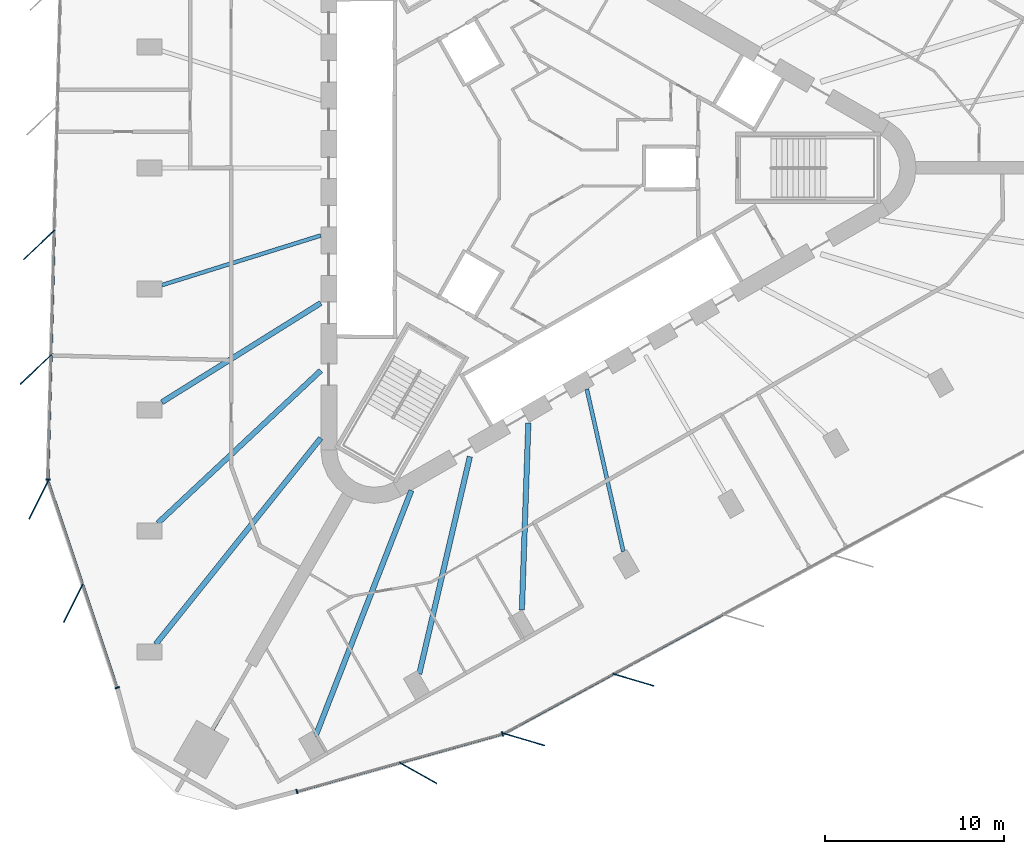
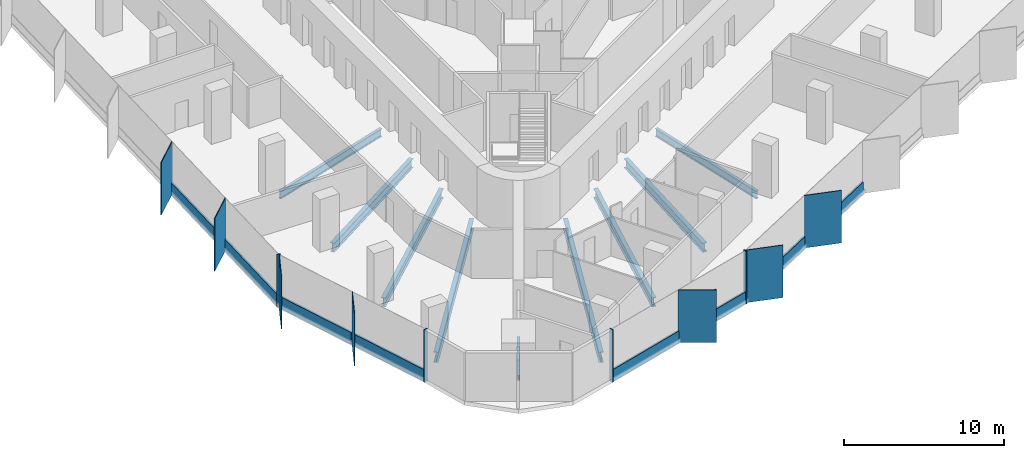
# One storey, part 2 of 14: 19 members, 9 beams, 4 elements without a shape of their own.
"""IFC4 building model written with IfcOpenShell, lengths in metres."""

from ifc_helpers import new_model, si_unit, direction, frame, origin, origin_2d, place, context, subcontext, project, spatial, rectangle, i_section, extrude, material, material_profile, profile_set, type_object, element, aggregate, save


model = new_model("IFC4")

# Units and contexts
model_context = context("Model", 3, precision=1e-05, world=origin(), true_north=direction((0.0, 1.0)))
body_context = subcontext(model_context, "Body", "Model", "MODEL_VIEW")
ifc_project = project(units=[si_unit("LENGTHUNIT", "METRE"), si_unit("AREAUNIT", "SQUARE_METRE"), si_unit("VOLUMEUNIT", "CUBIC_METRE"), si_unit("PLANEANGLEUNIT", "RADIAN"), si_unit("MASSUNIT", "GRAM", prefix="KILO")], contexts=[model_context])

# Site, building, storey
site_placement = place(None, origin())
site = spatial("IfcSite", under=ifc_project, at=site_placement, CompositionType="ELEMENT")
building_placement = place(site_placement, origin())
building = spatial("IfcBuilding", under=site, at=building_placement, Name="Tanit Gate Tower", CompositionType="ELEMENT")
storey_placement = place(building_placement, frame((0.0, 0.0, 249.199951171875)))
storey = spatial("IfcBuildingStorey", under=building, at=storey_placement, Name="L56", CompositionType="ELEMENT", Elevation=249.199951171875)

# Curtain wall, members
ifc_material_1 = material(Name="Aluminium bronze anodised and glass", Category="aluminium")
curtain_wall_type = type_object("IfcCurtainWallType", Name="Curtain wall typical mid", PredefinedType="NOTDEFINED", material=ifc_material_1)
curtain_wall_1_placement = place(storey_placement, origin())
curtain_wall_1 = element("IfcCurtainWall", 1, at=curtain_wall_1_placement, inside=storey, type_object=curtain_wall_type, Name="Curtain wall L56 W2", PredefinedType="NOTDEFINED")
ifc_material_2 = material(Name="Aluminium bronze anodised", Category="aluminium")
ifc_material_profile_1 = material_profile(ifc_material_2, rectangle(XDim=2.39990234375, YDim=0.055908203125, at=origin_2d()), Name="56x2400 bronze fin mullion")
ifc_profile_set_1 = profile_set([ifc_material_profile_1], Name="Aluminium bronze anodised")
member_type_1 = type_object("IfcMemberType", Name="FIN MULLION 56x2400 bronze", PredefinedType="MULLION", material=ifc_profile_set_1)
member_1_placement = place(storey_placement, frame((-27.85595703125, -4.296875, -0.300048828125), z_axis=(0.0, 0.0, 1.0), x_axis=(0.725200158595, 0.688538110764, 0.0)))
member_1 = element("IfcMember", 2, at=member_1_placement, type_object=member_type_1, Name="Fin mullion L56 W2.4", PredefinedType="MULLION", context=body_context, shape_type="SweptSolid", body=[
    extrude(rectangle(XDim=2.39990234375, YDim=0.055908203125, at=origin_2d()), origin(), (0.0, 0.0, 1.0), 4.0),
])
member_2_placement = place(storey_placement, frame((-28.036865234375, -11.2685546875, -0.300048828125), z_axis=(0.0, 0.0, 1.0), x_axis=(0.725200158595, 0.688538110764, 0.0)))
member_2 = element("IfcMember", 3, at=member_2_placement, type_object=member_type_1, Name="Fin mullion L56 W2.5", PredefinedType="MULLION", context=body_context, shape_type="SweptSolid", body=[
    extrude(rectangle(XDim=2.39990234375, YDim=0.055908203125, at=origin_2d()), origin(), (0.0, 0.0, 1.0), 4.0),
])

curtain_wall_2_placement = place(storey_placement, origin())
curtain_wall_2 = element("IfcCurtainWall", 4, at=curtain_wall_2_placement, inside=storey, type_object=curtain_wall_type, Name="Curtain wall L56 W3", PredefinedType="NOTDEFINED")
member_3_placement = place(storey_placement, frame((-27.8779296875, -18.561279296875, -0.300048828125), z_axis=(0.0, 0.0, 1.0), x_axis=(0.446864758438, 0.894601524516, 0.0)))
member_3 = element("IfcMember", 5, at=member_3_placement, type_object=member_type_1, Name="Fin mullion L56 W3.1", PredefinedType="MULLION", context=body_context, shape_type="SweptSolid", body=[
    extrude(rectangle(XDim=2.39990234375, YDim=0.055908203125, at=origin_2d()), origin(), (0.0, 0.0, 1.0), 4.0),
])
member_4_placement = place(storey_placement, frame((-25.94775390625, -24.34375, -0.300048828125), z_axis=(0.0, 0.0, 1.0), x_axis=(0.446864758438, 0.894601524516, 0.0)))
member_4 = element("IfcMember", 6, at=member_4_placement, type_object=member_type_1, Name="Fin mullion L56 W3.2", PredefinedType="MULLION", context=body_context, shape_type="SweptSolid", body=[
    extrude(rectangle(XDim=2.39990234375, YDim=0.055908203125, at=origin_2d()), origin(), (0.0, 0.0, 1.0), 4.0),
])

# Curtain wall, member
curtain_wall_3_placement = place(storey_placement, origin())
curtain_wall_3 = element("IfcCurtainWall", 7, at=curtain_wall_3_placement, inside=storey, type_object=curtain_wall_type, Name="Curtain wall L56 SE1", PredefinedType="NOTDEFINED")
member_5_placement = place(storey_placement, frame((-6.660400390625, -33.846435546875, -0.300048828125), z_axis=(0.0, 0.0, 1.0), x_axis=(-0.871576439722, 0.490259635012, 0.0)))
member_5 = element("IfcMember", 8, at=member_5_placement, type_object=member_type_1, Name="Fin mullion L56 SE1.2", PredefinedType="MULLION", context=body_context, shape_type="SweptSolid", body=[
    extrude(rectangle(XDim=2.39990234375, YDim=0.055908203125, at=origin_2d()), origin(), (0.0, 0.0, 1.0), 4.0),
])

# Curtain wall, members
curtain_wall_4_placement = place(storey_placement, origin())
curtain_wall_4 = element("IfcCurtainWall", 9, at=curtain_wall_4_placement, inside=storey, type_object=curtain_wall_type, Name="Curtain wall L56 SE2", PredefinedType="NOTDEFINED")
member_6_placement = place(storey_placement, frame((-0.735107421875, -31.96337890625, -0.300048828125), z_axis=(0.0, 0.0, 1.0), x_axis=(-0.958891574692, 0.28377270479, 0.0)))
member_6 = element("IfcMember", 10, at=member_6_placement, type_object=member_type_1, Name="Fin mullion L56 SE2.1", PredefinedType="MULLION", context=body_context, shape_type="SweptSolid", body=[
    extrude(rectangle(XDim=2.39990234375, YDim=0.055908203125, at=origin_2d()), origin(), (0.0, 0.0, 1.0), 4.0),
])
member_7_placement = place(storey_placement, frame((5.39306640625, -28.63427734375, -0.300048828125), z_axis=(0.0, 0.0, 1.0), x_axis=(-0.958891574692, 0.28377270479, 0.0)))
member_7 = element("IfcMember", 11, at=member_7_placement, type_object=member_type_1, Name="Fin mullion L56 SE2.2", PredefinedType="MULLION", context=body_context, shape_type="SweptSolid", body=[
    extrude(rectangle(XDim=2.39990234375, YDim=0.055908203125, at=origin_2d()), origin(), (0.0, 0.0, 1.0), 4.0),
])

# Member
ifc_material_3 = material(Name="Aluminium bronze anodised", Category="aluminium")
ifc_material_profile_2 = material_profile(ifc_material_3, rectangle(XDim=0.260009765625, YDim=0.080078125, at=origin_2d()), Name="80x260 bronze mullion")
ifc_profile_set_2 = profile_set([ifc_material_profile_2], Name="Aluminium bronze anodised")
member_type_2 = type_object("IfcMemberType", Name="Mullion 80x260 typical mid", PredefinedType="MULLION", material=ifc_profile_set_2)
member_8_placement = place(storey_placement, frame((-27.36279296875, -17.4287109375, -0.300048828125), z_axis=(0.0, 0.0, 1.0), x_axis=(0.999663917086, -0.025923982634, 0.0)))
member_8 = element("IfcMember", 12, at=member_8_placement, type_object=member_type_2, Name="Mullion L56 W2.6", PredefinedType="MULLION", context=body_context, shape_type="SweptSolid", body=[
    extrude(rectangle(XDim=0.260009765625, YDim=0.080078125, at=origin_2d()), origin(), (0.0, 0.0, 1.0), 4.0),
])

member_9_placement = place(storey_placement, frame((-23.490966796875, -29.072021484375, -0.300048828125), z_axis=(0.0, 0.0, 1.0), x_axis=(0.94855990541, 0.31659770348, 0.0)))
member_9 = element("IfcMember", 13, at=member_9_placement, type_object=member_type_2, Name="Mullion L56 W3.3", PredefinedType="MULLION", context=body_context, shape_type="SweptSolid", body=[
    extrude(rectangle(XDim=0.260009765625, YDim=0.080078125, at=origin_2d()), origin(), (0.0, 0.0, 1.0), 4.0),
])

member_10_placement = place(storey_placement, frame((-13.436279296875, -34.878173828125, -0.300048828125), z_axis=(0.0, 0.0, 1.0), x_axis=(-0.269631698391, 0.962963523309, 0.0)))
member_10 = element("IfcMember", 14, at=member_10_placement, type_object=member_type_2, Name="Mullion L56 SE1.1", PredefinedType="MULLION", context=body_context, shape_type="SweptSolid", body=[
    extrude(rectangle(XDim=0.260009765625, YDim=0.080078125, at=origin_2d()), origin(), (0.0, 0.0, 1.0), 4.0),
])

member_11_placement = place(storey_placement, frame((-1.939208984375, -31.658935546875, -0.300048828125), z_axis=(0.0, 0.0, 1.0), x_axis=(-0.269631698391, 0.962963523309, 0.0)))
member_11 = element("IfcMember", 15, at=member_11_placement, type_object=member_type_2, Name="Mullion L56 SE1.3", PredefinedType="MULLION", context=body_context, shape_type="SweptSolid", body=[
    extrude(rectangle(XDim=0.260009765625, YDim=0.080078125, at=origin_2d()), origin(), (0.0, 0.0, 1.0), 4.0),
])

# Beams
ifc_material_4 = material(Name="Steel S355", Category="steel")
ifc_material_profile_3 = material_profile(ifc_material_4, i_section(OverallWidth=0.300048828125, OverallDepth=0.68994140625, WebThickness=0.014404296875, FlangeThickness=0.027099609375, FilletRadius=0.027099609375, at=origin_2d()), Name="HEA 700")
ifc_profile_set_3 = profile_set([ifc_material_profile_3], Name="Steel S355")
beam_type_1 = type_object("IfcBeamType", Name="RADIAL GIRDER HEA 700 S355", PredefinedType="BEAM", material=ifc_profile_set_3)
beam_1_placement = place(storey_placement, frame((-20.993408203125, -13.10498046875, -0.64501953125), z_axis=(0.848289986152, 0.52953196258, 0.0), x_axis=(-0.52953196258, 0.848289986152, 0.0)))
element("IfcBeam", 16, at=beam_1_placement, inside=storey, type_object=beam_type_1, Name="RADIAL GIRDER", PredefinedType="BEAM", context=body_context, shape_type="SweptSolid", body=[
    extrude(i_section(OverallWidth=0.300048828125, OverallDepth=0.68994140625, WebThickness=0.014404296875, FlangeThickness=0.027099609375, FilletRadius=0.027099609375, at=origin_2d()), origin(), (0.0, 0.0, 1.0), 10.4814453125),
])
beam_2_placement = place(storey_placement, frame((-21.212646484375, -19.86279296875, -0.64501953125), z_axis=(0.729943944241, 0.683507014058, 0.0), x_axis=(-0.683507014058, 0.729943944241, 0.0)))
element("IfcBeam", 17, at=beam_2_placement, inside=storey, type_object=beam_type_1, Name="RADIAL GIRDER", PredefinedType="BEAM", context=body_context, shape_type="SweptSolid", body=[
    extrude(i_section(OverallWidth=0.300048828125, OverallDepth=0.68994140625, WebThickness=0.014404296875, FlangeThickness=0.027099609375, FilletRadius=0.027099609375, at=origin_2d()), origin(), (0.0, 0.0, 1.0), 12.481201171875),
])
beam_3_placement = place(storey_placement, frame((-6.595458984375, -28.30224609375, -0.64501953125), z_axis=(0.226957535876, 0.973904654938, 0.0), x_axis=(-0.973904654938, 0.226957535876, 0.0)))
element("IfcBeam", 18, at=beam_3_placement, inside=storey, type_object=beam_type_1, Name="RADIAL GIRDER", PredefinedType="BEAM", context=body_context, shape_type="SweptSolid", body=[
    extrude(i_section(OverallWidth=0.300048828125, OverallDepth=0.68994140625, WebThickness=0.014404296875, FlangeThickness=0.027099609375, FilletRadius=0.027099609375, at=origin_2d()), origin(), (0.0, 0.0, 1.0), 12.4814453125),
])
beam_4_placement = place(storey_placement, frame((-0.8525390625, -24.733154296875, -0.64501953125), z_axis=(0.034449440127, 0.999406441882, 0.0), x_axis=(-0.999406441882, 0.034449440127, 0.0)))
element("IfcBeam", 19, at=beam_4_placement, inside=storey, type_object=beam_type_1, Name="RADIAL GIRDER", PredefinedType="BEAM", context=body_context, shape_type="SweptSolid", body=[
    extrude(i_section(OverallWidth=0.300048828125, OverallDepth=0.68994140625, WebThickness=0.014404296875, FlangeThickness=0.027099609375, FilletRadius=0.027099609375, at=origin_2d()), origin(), (0.0, 0.0, 1.0), 10.4814453125),
])
ifc_material_5 = material(Name="Steel S355", Category="steel")
ifc_material_profile_4 = material_profile(ifc_material_5, i_section(OverallWidth=0.300048828125, OverallDepth=0.7900390625, WebThickness=0.014892578125, FlangeThickness=0.028076171875, FilletRadius=0.030029296875, at=origin_2d()), Name="HEA 800")
ifc_profile_set_4 = profile_set([ifc_material_profile_4], Name="Steel S355")
beam_type_2 = type_object("IfcBeamType", Name="RADIAL GIRDER HEA 800 S355", PredefinedType="BEAM", material=ifc_profile_set_4)
for number, where, z_axis, x_axis, name in (
    (20, (-21.3330078125, -26.6337890625, -0.695068359375), (0.625158701972, 0.780497660053, 0.0), (-0.780497660053, 0.625158701972, 0.0), "RADIAL GIRDER"),
    (21, (-12.399169921875, -31.791748046875, -0.695068359375), (0.363354891864, 0.931650805054, 0.0), (-0.931650805054, 0.363354891864, 0.0), "RADIAL GIRDER"),
):
    element("IfcBeam", number, at=place(storey_placement, frame(where, z_axis=z_axis, x_axis=x_axis)), inside=storey, type_object=beam_type_2, Name=name, PredefinedType="BEAM", context=body_context, shape_type="SweptSolid", body=[
        extrude(i_section(OverallWidth=0.300048828125, OverallDepth=0.7900390625, WebThickness=0.014892578125, FlangeThickness=0.028076171875, FilletRadius=0.030029296875, at=origin_2d()), origin(), (0.0, 0.0, 1.0), 14.765869140625),
    ])
ifc_material_6 = material(Name="Steel S355", Category="steel")
ifc_material_profile_5 = material_profile(ifc_material_6, i_section(OverallWidth=0.179931640625, OverallDepth=0.39990234375, WebThickness=0.008544921875, FlangeThickness=0.013427734375, FilletRadius=0.02099609375, at=origin_2d()), Name="IPE 400")
ifc_profile_set_5 = profile_set([ifc_material_profile_5], Name="Steel S355")
beam_type_3 = type_object("IfcBeamType", Name="RADIAL GIRDER IPE 400 S355", PredefinedType="BEAM", material=ifc_profile_set_5)
beam_5_placement = place(storey_placement, frame((-18.135009765625, -31.41064453125, -0.5), z_axis=(0.500009597358, 0.866019862676, 0.0), x_axis=(-0.866019862676, 0.500009597358, 0.0)))
element("IfcBeam", 22, at=beam_5_placement, inside=storey, type_object=beam_type_3, Name="RADIAL GIRDER", PredefinedType="BEAM", context=body_context, shape_type="SweptSolid", body=[
    extrude(i_section(OverallWidth=0.179931640625, OverallDepth=0.39990234375, WebThickness=0.008544921875, FlangeThickness=0.013427734375, FilletRadius=0.02099609375, at=origin_2d()), origin(), (0.0, 0.0, 1.0), 4.2197265625),
])
ifc_material_7 = material(Name="Steel S355", Category="steel")
ifc_material_profile_6 = material_profile(ifc_material_7, i_section(OverallWidth=0.219970703125, OverallDepth=0.60009765625, WebThickness=0.011962890625, FlangeThickness=0.01904296875, FilletRadius=0.02392578125, at=origin_2d()), Name="IPE 600")
ifc_profile_set_6 = profile_set([ifc_material_profile_6], Name="Steel S355")
beam_type_4 = type_object("IfcBeamType", Name="RADIAL GIRDER IPE 600 S355", PredefinedType="BEAM", material=ifc_profile_set_6)
beam_6_placement = place(storey_placement, frame((-20.993408203125, -6.552490234375, -0.599853515625), z_axis=(0.954583925113, 0.297942158674, 0.0), x_axis=(-0.297942158674, 0.954583925113, 0.0)))
element("IfcBeam", 23, at=beam_6_placement, inside=storey, type_object=beam_type_4, Name="RADIAL GIRDER", PredefinedType="BEAM", context=body_context, shape_type="SweptSolid", body=[
    extrude(i_section(OverallWidth=0.219970703125, OverallDepth=0.60009765625, WebThickness=0.011962890625, FlangeThickness=0.01904296875, FilletRadius=0.02392578125, at=origin_2d()), origin(), (0.0, 0.0, 1.0), 9.314453125),
])
beam_7_placement = place(storey_placement, frame((4.822021484375, -21.456787109375, -0.599853515625), z_axis=(-0.219263945234, 0.975665579141, 0.0), x_axis=(-0.975665579141, -0.219263945234, 0.0)))
element("IfcBeam", 24, at=beam_7_placement, inside=storey, type_object=beam_type_4, Name="RADIAL GIRDER", PredefinedType="BEAM", context=body_context, shape_type="SweptSolid", body=[
    extrude(i_section(OverallWidth=0.219970703125, OverallDepth=0.60009765625, WebThickness=0.011962890625, FlangeThickness=0.01904296875, FilletRadius=0.02392578125, at=origin_2d()), origin(), (0.0, 0.0, 1.0), 9.31396484375),
])

# Member
ifc_material_8 = material(Name="Aluminium bronze anodised", Category="aluminium")
ifc_material_profile_7 = material_profile(ifc_material_8, rectangle(XDim=0.139892578125, YDim=0.89990234375, at=origin_2d()), Name="140x900 bronze transom")
ifc_profile_set_7 = profile_set([ifc_material_profile_7], Name="Aluminium bronze anodised")
member_type_3 = type_object("IfcMemberType", Name="Transom 140x900 typical mid", PredefinedType="USERDEFINED", material=ifc_profile_set_7)
member_12_placement = place(storey_placement, frame((-27.002197265625, -3.525146484375, 0.150146484375), z_axis=(-0.025922066799, -0.999663966767, 0.0), x_axis=(0.999663966767, -0.025922066799, 0.0)))
member_12 = element("IfcMember", 25, at=member_12_placement, type_object=member_type_3, Name="Transom L56 W2.4", ObjectType="TRANSOM", PredefinedType="USERDEFINED", context=body_context, shape_type="SweptSolid", body=[
    extrude(rectangle(XDim=0.139892578125, YDim=0.89990234375, at=origin_2d()), origin(), (0.0, 0.0, 1.0), 6.89404296875),
])

member_13_placement = place(storey_placement, frame((-27.182861328125, -10.4970703125, 0.150146484375), z_axis=(-0.025922984492, -0.99966394297, 0.0), x_axis=(0.99966394297, -0.025922984492, 0.0)))
member_13 = element("IfcMember", 26, at=member_13_placement, type_object=member_type_3, Name="Transom L56 W2.5", ObjectType="TRANSOM", PredefinedType="USERDEFINED", context=body_context, shape_type="SweptSolid", body=[
    extrude(rectangle(XDim=0.139892578125, YDim=0.89990234375, at=origin_2d()), origin(), (0.0, 0.0, 1.0), 6.893798828125),
])

aggregate(curtain_wall_1, [member_1, member_2, member_8, member_12, member_13])

member_14_placement = place(storey_placement, frame((-27.33837890625, -17.544677734375, 0.150146484375), z_axis=(0.316617322318, -0.94855335707, 0.0), x_axis=(0.94855335707, 0.316617322318, 0.0)))
member_14 = element("IfcMember", 27, at=member_14_placement, type_object=member_type_3, Name="Transom L56 W3.1", ObjectType="TRANSOM", PredefinedType="USERDEFINED", context=body_context, shape_type="SweptSolid", body=[
    extrude(rectangle(XDim=0.139892578125, YDim=0.89990234375, at=origin_2d()), origin(), (0.0, 0.0, 1.0), 6.01611328125),
])

member_15_placement = place(storey_placement, frame((-25.408447265625, -23.3271484375, 0.150146484375), z_axis=(0.316605134965, -0.948557424995, 0.0), x_axis=(0.948557424995, 0.316605134965, 0.0)))
member_15 = element("IfcMember", 28, at=member_15_placement, type_object=member_type_3, Name="Transom L56 W3.2", ObjectType="TRANSOM", PredefinedType="USERDEFINED", context=body_context, shape_type="SweptSolid", body=[
    extrude(rectangle(XDim=0.139892578125, YDim=0.89990234375, at=origin_2d()), origin(), (0.0, 0.0, 1.0), 6.016357421875),
])

aggregate(curtain_wall_2, [member_3, member_4, member_9, member_14, member_15])

member_16_placement = place(storey_placement, frame((-13.39794921875, -34.8671875, 0.150146484375), z_axis=(0.962971338035, 0.269603787292, 0.0), x_axis=(-0.269603787292, 0.962971338035, 0.0)))
member_16 = element("IfcMember", 29, at=member_16_placement, type_object=member_type_3, Name="Transom L56 SE1.1", ObjectType="TRANSOM", PredefinedType="USERDEFINED", context=body_context, shape_type="SweptSolid", body=[
    extrude(rectangle(XDim=0.139892578125, YDim=0.89990234375, at=origin_2d()), origin(), (0.0, 0.0, 1.0), 5.8896484375),
])

member_17_placement = place(storey_placement, frame((-7.649169921875, -33.257568359375, 0.150146484375), z_axis=(0.962968324867, 0.269614549502, 0.0), x_axis=(-0.269614549502, 0.962968324867, 0.0)))
member_17 = element("IfcMember", 30, at=member_17_placement, type_object=member_type_3, Name="Transom L56 SE1.2", ObjectType="TRANSOM", PredefinedType="USERDEFINED", context=body_context, shape_type="SweptSolid", body=[
    extrude(rectangle(XDim=0.139892578125, YDim=0.89990234375, at=origin_2d()), origin(), (0.0, 0.0, 1.0), 5.889404296875),
])

aggregate(curtain_wall_3, [member_10, member_5, member_11, member_16, member_17])

member_18_placement = place(storey_placement, frame((-1.830322265625, -31.60986328125, 0.150146484375), z_axis=(0.878703630976, 0.47736770828, 0.0), x_axis=(-0.47736770828, 0.878703630976, 0.0)))
member_18 = element("IfcMember", 31, at=member_18_placement, type_object=member_type_3, Name="Transom L56 SE2.1", ObjectType="TRANSOM", PredefinedType="USERDEFINED", context=body_context, shape_type="SweptSolid", body=[
    extrude(rectangle(XDim=0.139892578125, YDim=0.89990234375, at=origin_2d()), origin(), (0.0, 0.0, 1.0), 6.89404296875),
])

member_19_placement = place(storey_placement, frame((4.2978515625, -28.280517578125, 0.150146484375), z_axis=(0.878703630976, 0.47736770828, 0.0), x_axis=(-0.47736770828, 0.878703630976, 0.0)))
member_19 = element("IfcMember", 32, at=member_19_placement, type_object=member_type_3, Name="Transom L56 SE2.2", ObjectType="TRANSOM", PredefinedType="USERDEFINED", context=body_context, shape_type="SweptSolid", body=[
    extrude(rectangle(XDim=0.139892578125, YDim=0.89990234375, at=origin_2d()), origin(), (0.0, 0.0, 1.0), 6.89404296875),
])

aggregate(curtain_wall_4, [member_6, member_7, member_18, member_19])

save(model, "model.ifc")
